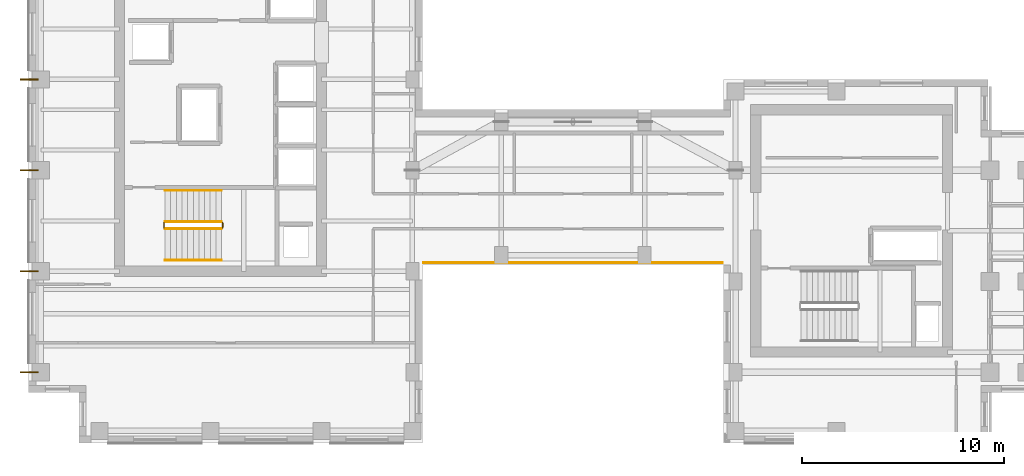
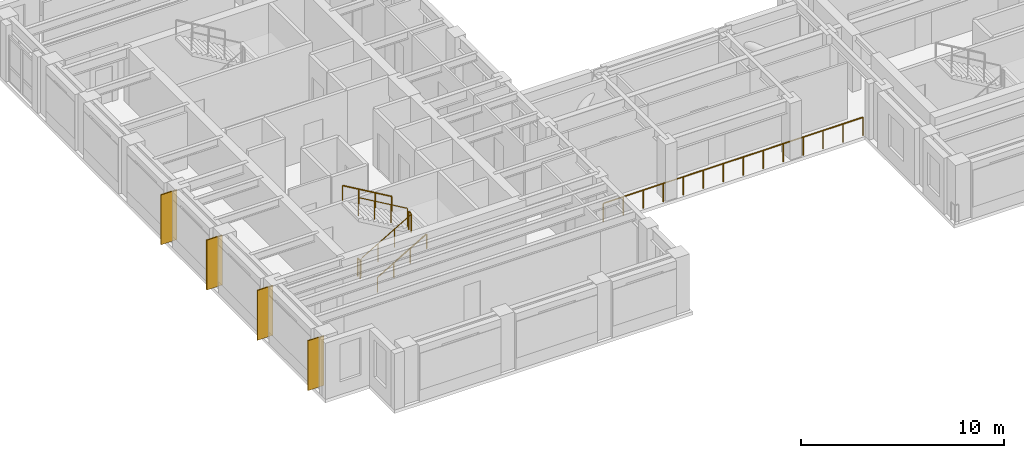
# One storey, part 11 of 13: 7 railings, 4 coverings.
"""IFC4 building model written with IfcOpenShell, lengths in metres."""

import ifcopenshell
import ifcopenshell.guid

model = None  # the IFC model being written
_history = None  # IfcOwnerHistory: only IFC2X3 demands one
_inside = {}  # id of a spatial element -> (the spatial element, [elements in it])
_under = {}  # id of a project, library or spatial element -> (it, [spatial elements below it])
_declared = {}  # id of a project -> (the project, [libraries it declares])
_typed = {}  # id of a type object -> (the type object, [elements of that type])
_made_of = {}  # id of a material, layer set ... -> (it, [elements and type objects made of it])


def new_model(schema):
    """Start an empty IFC model of exactly this schema.

    Asked for "IFC4X3", IfcOpenShell would pick the latest addendum, in which some entities
    have other attributes; the version numbers below select the first issue.
    IFC2X3 requires an IfcOwnerHistory on every rooted entity: one is made here for all.
    """
    global model, _history
    if schema == "IFC4X3":
        model = ifcopenshell.file(schema_version=(4, 3, 0, 0))
    else:
        model = ifcopenshell.file(schema=schema)
    _inside.clear()
    _under.clear()
    _declared.clear()
    _typed.clear()
    _made_of.clear()
    _history = None
    if model.schema == "IFC2X3":
        org = make("IfcOrganization", Name="unknown")
        user = make(
            "IfcPersonAndOrganization",
            ThePerson=make("IfcPerson", FamilyName="unknown"),
            TheOrganization=org,
        )
        app = make(
            "IfcApplication",
            ApplicationDeveloper=org,
            Version="unknown",
            ApplicationFullName="unknown",
            ApplicationIdentifier="unknown",
        )
        _history = make(
            "IfcOwnerHistory",
            OwningUser=user,
            OwningApplication=app,
            ChangeAction="ADDED",
            CreationDate=0,
        )
    return model


def make(cls, **values):
    """One entity of the class cls with the attributes given. An attribute that is None is left unset."""
    return model.create_entity(
        cls, **{name: value for name, value in values.items() if value is not None}
    )


def rooted(cls, **values):
    """An entity with a GlobalId (a new one), such as an element, a storey or a relation."""
    return make(cls, GlobalId=ifcopenshell.guid.new(), OwnerHistory=_history, **values)


def si_unit(unit_type, name, prefix=None):
    """IfcSIUnit, for example si_unit("LENGTHUNIT", "METRE", prefix="MILLI")."""
    return make("IfcSIUnit", UnitType=unit_type, Prefix=prefix, Name=name)


def assignment(units):
    """IfcUnitAssignment: the units of a project."""
    return None if units is None else make("IfcUnitAssignment", Units=units)


def point(xyz):
    """IfcCartesianPoint."""
    return None if xyz is None else make("IfcCartesianPoint", Coordinates=xyz)


def direction(xyz):
    """IfcDirection."""
    return None if xyz is None else make("IfcDirection", DirectionRatios=xyz)


def frame(location, z_axis=None, x_axis=None):
    """IfcAxis2Placement3D, a coordinate frame: its origin and axes. An axis left out is left unset."""
    return make(
        "IfcAxis2Placement3D",
        Location=point(location),
        Axis=direction(z_axis),
        RefDirection=direction(x_axis),
    )


def frame_2d(location, x_axis=None):
    """IfcAxis2Placement2D, a coordinate frame in the plane: its origin and x axis."""
    return make(
        "IfcAxis2Placement2D", Location=point(location), RefDirection=direction(x_axis)
    )


def origin():
    """The frame at (0, 0, 0) with its axes left unset."""
    return frame((0.0, 0.0, 0.0))


def origin_2d():
    """The frame at (0, 0) in the plane with its x axis left unset."""
    return frame_2d((0.0, 0.0))


def place(relative_to, where):
    """IfcLocalPlacement: puts the frame where relative to a parent placement (None: the world)."""
    return make(
        "IfcLocalPlacement", PlacementRelTo=relative_to, RelativePlacement=where
    )


def context(
    kind, dimensions, precision=None, world=None, true_north=None, identifier=None
):
    """IfcGeometricRepresentationContext, for example the 3D "Model" context."""
    return make(
        "IfcGeometricRepresentationContext",
        ContextIdentifier=identifier,
        ContextType=kind,
        CoordinateSpaceDimension=dimensions,
        Precision=precision,
        WorldCoordinateSystem=world,
        TrueNorth=true_north,
    )


def subcontext(parent, identifier, kind, view, scale=None):
    """IfcGeometricRepresentationSubContext, for example "Body" below "Model"."""
    return make(
        "IfcGeometricRepresentationSubContext",
        ContextIdentifier=identifier,
        ContextType=kind,
        ParentContext=parent,
        TargetScale=scale,
        TargetView=view,
    )


def project(units=None, contexts=None):
    """IfcProject with its units and contexts."""
    return rooted(
        "IfcProject",
        Name="project",
        RepresentationContexts=contexts,
        UnitsInContext=assignment(units),
    )


def spatial(cls, under=None, at=None, **own):
    """A site, building, storey or space (cls), placed at a placement, below another one or the project."""
    s = rooted(cls, ObjectPlacement=at, **own)
    if under is not None:
        _under.setdefault(under.id(), (under, []))[1].append(s)
    return s


def profile(cls, at=None, kind="AREA", **sizes):
    """A parametric profile (cls). Its sizes go by their IFC names, for example OverallWidth=200.0."""
    return make(cls, ProfileType=kind, Position=at, **sizes)


def rectangle(**sizes):
    """IfcRectangleProfileDef."""
    return profile("IfcRectangleProfileDef", **sizes)


def circle(**sizes):
    """IfcCircleProfileDef."""
    return profile("IfcCircleProfileDef", **sizes)


def extrude(swept, where, along, depth):
    """IfcExtrudedAreaSolid: the profile swept, set in the frame where, extruded along a direction by depth."""
    return make(
        "IfcExtrudedAreaSolid",
        SweptArea=swept,
        Position=where,
        ExtrudedDirection=direction(along),
        Depth=depth,
    )


def shape(context_of_items, identifier, shape_type, items):
    """IfcShapeRepresentation: the items that make up one representation, for example the "Body"."""
    return make(
        "IfcShapeRepresentation",
        ContextOfItems=context_of_items,
        RepresentationIdentifier=identifier,
        RepresentationType=shape_type,
        Items=items,
    )


def source(mapping_origin, context_of_items, identifier, shape_type, items):
    """IfcRepresentationMap: a shape defined once, which mapped items show again and again."""
    return make(
        "IfcRepresentationMap",
        MappingOrigin=mapping_origin,
        MappedRepresentation=shape(context_of_items, identifier, shape_type, items),
    )


def transform(
    local_origin,
    x_axis=None,
    y_axis=None,
    z_axis=None,
    scale=None,
    scale2=None,
    scale3=None,
    uniform=True,
):
    """IfcCartesianTransformationOperator3D, or its non-uniform kind. x_axis, y_axis, z_axis: its Axis1, 2, 3."""
    if uniform:
        return make(
            "IfcCartesianTransformationOperator3D",
            Axis1=direction(x_axis),
            Axis2=direction(y_axis),
            LocalOrigin=point(local_origin),
            Scale=scale,
            Axis3=direction(z_axis),
        )
    return make(
        "IfcCartesianTransformationOperator3DnonUniform",
        Axis1=direction(x_axis),
        Axis2=direction(y_axis),
        LocalOrigin=point(local_origin),
        Scale=scale,
        Axis3=direction(z_axis),
        Scale2=scale2,
        Scale3=scale3,
    )


def mapped(mapping_source, mapping_target):
    """IfcMappedItem: shows the shape of a source again, moved by a transform."""
    return make(
        "IfcMappedItem", MappingSource=mapping_source, MappingTarget=mapping_target
    )


def material(Name=None, Category=None):
    """IfcMaterial."""
    return make("IfcMaterial", Name=Name, Category=Category)


def layer(
    of_material, thickness, ventilated=None, Name=None, Category=None, Priority=None
):
    """IfcMaterialLayer: one layer of a wall or slab, of a material (None: an air gap)."""
    return make(
        "IfcMaterialLayer",
        Material=of_material,
        LayerThickness=thickness,
        IsVentilated=ventilated,
        Name=Name,
        Category=Category,
        Priority=Priority,
    )


def layer_set(layers, Name=None):
    """IfcMaterialLayerSet."""
    return make("IfcMaterialLayerSet", MaterialLayers=layers, LayerSetName=Name)


def made_of(thing, what):
    """Note that an element or type object is made of a material, layer set ...; save() writes the relation."""
    if what is not None:
        _made_of.setdefault(what.id(), (what, []))[1].append(thing)
    return thing


def type_object(cls, material=None, **own):
    """A type object (cls), such as IfcWallType, which elements share."""
    return made_of(rooted(cls, **own), material)


def element(
    cls,
    number,
    at=None,
    inside=None,
    cuts=None,
    type_object=None,
    material=None,
    context=None,
    identifier="Body",
    shape_type=None,
    held_by="IfcProductDefinitionShape",
    body=None,
    shapes=None,
    **own,
):
    """One element of the class cls, such as IfcWall. Its Tag is "e" and its number.

    at: its placement. inside: the storey or other place that contains it. cuts: it is an
    opening in that element (IfcRelVoidsElement). A single representation is given by context,
    identifier, shape_type and body (its items); several are given by shapes. held_by: the class
    of the entity that holds the representations. save() writes the other relations.
    """
    e = rooted(cls, Tag="e%d" % number, ObjectPlacement=at, **own)
    if body is not None:
        shapes = [shape(context, identifier, shape_type, body)]
    if shapes is not None:
        e.Representation = make(held_by, Representations=shapes)
    if inside is not None:
        _inside.setdefault(inside.id(), (inside, []))[1].append(e)
    if cuts is not None:
        rooted(
            "IfcRelVoidsElement", RelatingBuildingElement=cuts, RelatedOpeningElement=e
        )
    if type_object is not None:
        _typed.setdefault(type_object.id(), (type_object, []))[1].append(e)
    return made_of(e, material)


def aggregate(whole, parts):
    """IfcRelAggregates: a whole, such as a stair, and the parts it consists of."""
    return rooted("IfcRelAggregates", RelatingObject=whole, RelatedObjects=parts)


def save(model, path):
    """Write the relations noted so far, then the file.

    IfcRelAggregates (storeys below a building ...), IfcRelContainedInSpatialStructure (elements
    in a storey), IfcRelDefinesByType, IfcRelAssociatesMaterial and IfcRelDeclares: one each for
    every whole, place, type object, material and project.
    """
    for whole, parts in _under.values():
        aggregate(whole, parts)
    for where, things in _inside.values():
        rooted(
            "IfcRelContainedInSpatialStructure",
            RelatedElements=things,
            RelatingStructure=where,
        )
    for kind, things in _typed.values():
        rooted("IfcRelDefinesByType", RelatedObjects=things, RelatingType=kind)
    for what, things in _made_of.values():
        rooted("IfcRelAssociatesMaterial", RelatedObjects=things, RelatingMaterial=what)
    for by, libraries in _declared.values():
        rooted("IfcRelDeclares", RelatingContext=by, RelatedDefinitions=libraries)
    model.write(path)


model = new_model("IFC4")

# Units and contexts
model_context = context("Model", 3, precision=1e-05, world=origin(), true_north=direction((0.0, 1.0)))
body_context = subcontext(model_context, "Body", "Model", "MODEL_VIEW")
ifc_project = project(units=[si_unit("LENGTHUNIT", "METRE"), si_unit("AREAUNIT", "SQUARE_METRE"), si_unit("VOLUMEUNIT", "CUBIC_METRE"), si_unit("PLANEANGLEUNIT", "RADIAN"), si_unit("MASSUNIT", "GRAM", prefix="KILO")], contexts=[model_context])

# Site, building, storey
site_placement = place(None, origin())
site = spatial("IfcSite", under=ifc_project, at=site_placement, CompositionType="ELEMENT")
building_placement = place(site_placement, origin())
building = spatial("IfcBuilding", under=site, at=building_placement, Name="Kharzan Plaza Tower", CompositionType="ELEMENT")
storey_placement = place(building_placement, frame((0.0, 0.0, 244.800048828125)))
storey = spatial("IfcBuildingStorey", under=building, at=storey_placement, Name="L66", CompositionType="ELEMENT", Elevation=244.800048828125)

# Railings
ifc_material_1 = material(Name="Painted Galvanized Architectural Steel", Category="steel")
ifc_layer_1 = layer(ifc_material_1, 0.074951171875)
ifc_layer_set_1 = layer_set([ifc_layer_1], Name="Painted Galvanized Architectural Steel")
railing_type_1 = type_object("IfcRailingType", Name="RL-GUARD-1120", PredefinedType="BALUSTRADE", material=ifc_layer_set_1)
shared_shape_1 = source(origin(), body_context, "Body", "SweptSolid", [
    extrude(circle(Radius=0.02392578125, at=origin_2d()), frame((0.0, 0.0263671875, 1.09619140625), z_axis=(0.0, 1.0, 0.0), x_axis=(-1.0, 0.0, 0.0)), (0.0, 0.0, 1.0), 0.197021484375),
    extrude(circle(Radius=0.02099609375, at=origin_2d()), origin(), (0.0, 0.0, 1.0), 1.072021484375),
    extrude(circle(Radius=0.02099609375, at=origin_2d()), frame((0.0, 0.25, 0.0)), (0.0, 0.0, 1.0), 1.072021484375),
])
for number, where, name in (
    (1, (9.60009765625, 10.64990234375, 1.800048828125), "L66 ST-1 stair guard 2"),
    (2, (6.699951171875, 10.64990234375, 0.0), "L66 ST-1 stair guard 4"),
):
    element("IfcRailing", number, at=place(storey_placement, frame(where)), inside=storey, type_object=railing_type_1, Name=name, PredefinedType="BALUSTRADE", context=body_context, shape_type="MappedRepresentation", body=[
        mapped(shared_shape_1, transform((0.0, 0.0, 0.0), x_axis=(1.0, 0.0, 0.0), y_axis=(0.0, 1.0, 0.0), z_axis=(0.0, 0.0, 1.0))),
    ])

# Coverings
ifc_material_2 = material(Name="Honed Riyadh Limestone", Category="masonry")
ifc_layer_2 = layer(ifc_material_2, 0.06005859375)
ifc_layer_set_2 = layer_set([ifc_layer_2], Name="Honed Riyadh Limestone")
covering_type = type_object("IfcCoveringType", Name="COV-CLAD-STONE", PredefinedType="CLADDING", material=ifc_layer_set_2)
shared_shape_2 = source(origin(), body_context, "Body", "SweptSolid", [
    extrude(rectangle(XDim=0.06005859375, YDim=0.89990234375, at=origin_2d()), origin(), (0.0, 0.0, 1.0), 3.0),
])
for number, where, z_axis, x_axis, name in (
    (3, (0.02001953125, 13.5, 0.099853515625), (0.0, 0.0, 1.0), (0.0, 1.0, 0.0), "L66 Limestone Pier Rainscreen Cladding TCW-135"),
    (4, (0.02001953125, 18.0, 0.099853515625), (0.0, 0.0, 1.0), (0.0, 1.0, 0.0), "L66 Limestone Pier Rainscreen Cladding TCW-180"),
    (5, (0.02001953125, 3.5, 0.099853515625), (0.0, 0.0, 1.0), (0.0, 1.0, 0.0), "L66 Limestone Pier Rainscreen Cladding TCW-35"),
    (6, (0.02001953125, 8.5, 0.099853515625), (0.0, 0.0, 1.0), (0.0, 1.0, 0.0), "L66 Limestone Pier Rainscreen Cladding TCW-85"),
):
    element("IfcCovering", number, at=place(storey_placement, frame(where, z_axis=z_axis, x_axis=x_axis)), inside=storey, type_object=covering_type, Name=name, PredefinedType="CLADDING", context=body_context, shape_type="MappedRepresentation", body=[
        mapped(shared_shape_2, transform((0.0, 0.0, 0.0), x_axis=(1.0, 0.0, 0.0), y_axis=(0.0, 1.0, 0.0), z_axis=(0.0, 0.0, 1.0))),
    ])

# Railings
shared_shape_3 = source(origin(), body_context, "Body", "SweptSolid", [
    extrude(circle(Radius=0.02392578125, at=origin_2d()), frame((0.02294921875, 0.0, 1.109375), z_axis=(0.863360870873, 0.0, 0.504586966384), x_axis=(0.0, 1.0, 0.0)), (0.0, 0.0, 1.0), 3.190185546875),
    extrude(circle(Radius=0.02099609375, at=origin_2d()), origin(), (0.0, 0.0, 1.0), 1.072021484375),
    extrude(circle(Radius=0.02099609375, at=origin_2d()), frame((0.933349609375, 0.0, 0.54541015625)), (0.0, 0.0, 1.0), 1.072021484375),
    extrude(circle(Radius=0.02099609375, at=origin_2d()), frame((1.86669921875, 0.0, 1.091064453125)), (0.0, 0.0, 1.0), 1.072021484375),
    extrude(circle(Radius=0.02099609375, at=origin_2d()), frame((2.800048828125, 0.0, 1.636474609375)), (0.0, 0.0, 1.0), 1.072021484375),
])
railing_1_placement = place(storey_placement, frame((6.75, 10.60009765625, 0.16357421875)))
element("IfcRailing", 7, at=railing_1_placement, inside=storey, type_object=railing_type_1, Name="L66 ST-1 stair guard 1", PredefinedType="BALUSTRADE", context=body_context, shape_type="MappedRepresentation", body=[
    mapped(shared_shape_3, transform((0.0, 0.0, 0.0), x_axis=(1.0, 0.0, 0.0), y_axis=(0.0, 1.0, 0.0), z_axis=(0.0, 0.0, 1.0))),
])
ifc_material_3 = material(Name="Brushed Stainless Steel", Category="steel")
ifc_layer_3 = layer(ifc_material_3, 0.050048828125)
ifc_layer_set_3 = layer_set([ifc_layer_3], Name="Brushed Stainless Steel")
railing_type_2 = type_object("IfcRailingType", Name="RL-STAIR-HR920", PredefinedType="HANDRAIL", material=ifc_layer_set_3)
shared_shape_4 = source(origin(), body_context, "Body", "SweptSolid", [
    extrude(circle(Radius=0.02392578125, at=origin_2d()), frame((0.02294921875, 0.0, 0.88916015625), z_axis=(0.863360870873, 0.0, 0.504586966384), x_axis=(0.0, 1.0, 0.0)), (0.0, 0.0, 1.0), 3.190185546875),
    extrude(circle(Radius=0.02099609375, at=origin_2d()), origin(), (0.0, 0.0, 1.0), 0.851806640625),
    extrude(circle(Radius=0.02099609375, at=origin_2d()), frame((0.933349609375, 0.0, 0.54541015625)), (0.0, 0.0, 1.0), 0.851806640625),
    extrude(circle(Radius=0.02099609375, at=origin_2d()), frame((1.86669921875, 0.0, 1.091064453125)), (0.0, 0.0, 1.0), 0.851806640625),
    extrude(circle(Radius=0.02099609375, at=origin_2d()), frame((2.800048828125, 0.0, 1.636474609375)), (0.0, 0.0, 1.0), 0.851806640625),
])
railing_2_placement = place(storey_placement, frame((6.75, 9.050048828125, 0.16357421875)))
element("IfcRailing", 8, at=railing_2_placement, inside=storey, type_object=railing_type_2, Name="L66 ST-1 stair handrail 1", PredefinedType="HANDRAIL", context=body_context, shape_type="MappedRepresentation", body=[
    mapped(shared_shape_4, transform((0.0, 0.0, 0.0), x_axis=(1.0, 0.0, 0.0), y_axis=(0.0, 1.0, 0.0), z_axis=(0.0, 0.0, 1.0))),
])
shared_shape_5 = source(origin(), body_context, "Body", "SweptSolid", [
    extrude(circle(Radius=0.02392578125, at=origin_2d()), frame((-0.02294921875, 0.0, 1.109375), z_axis=(-0.863393664356, 0.0, 0.504530851732), x_axis=(0.0, -1.0, 0.0)), (0.0, 0.0, 1.0), 3.190185546875),
    extrude(circle(Radius=0.02099609375, at=origin_2d()), origin(), (0.0, 0.0, 1.0), 1.072021484375),
    extrude(circle(Radius=0.02099609375, at=origin_2d()), frame((-0.933349609375, 0.0, 0.54541015625)), (0.0, 0.0, 1.0), 1.072021484375),
    extrude(circle(Radius=0.02099609375, at=origin_2d()), frame((-1.86669921875, 0.0, 1.0908203125)), (0.0, 0.0, 1.0), 1.072021484375),
    extrude(circle(Radius=0.02099609375, at=origin_2d()), frame((-2.800048828125, 0.0, 1.63623046875)), (0.0, 0.0, 1.0), 1.072021484375),
])
railing_3_placement = place(storey_placement, frame((9.550048828125, 10.949951171875, 1.963623046875)))
element("IfcRailing", 9, at=railing_3_placement, inside=storey, type_object=railing_type_1, Name="L66 ST-1 stair guard 3", PredefinedType="BALUSTRADE", context=body_context, shape_type="MappedRepresentation", body=[
    mapped(shared_shape_5, transform((0.0, 0.0, 0.0), x_axis=(1.0, 0.0, 0.0), y_axis=(0.0, 1.0, 0.0), z_axis=(0.0, 0.0, 1.0))),
])
shared_shape_6 = source(origin(), body_context, "Body", "SweptSolid", [
    extrude(circle(Radius=0.02392578125, at=origin_2d()), frame((-0.02294921875, 0.0, 0.88916015625), z_axis=(-0.863393664356, 0.0, 0.504530851732), x_axis=(0.0, -1.0, 0.0)), (0.0, 0.0, 1.0), 3.190185546875),
    extrude(circle(Radius=0.02099609375, at=origin_2d()), origin(), (0.0, 0.0, 1.0), 0.851806640625),
    extrude(circle(Radius=0.02099609375, at=origin_2d()), frame((-0.933349609375, 0.0, 0.54541015625)), (0.0, 0.0, 1.0), 0.851806640625),
    extrude(circle(Radius=0.02099609375, at=origin_2d()), frame((-1.86669921875, 0.0, 1.0908203125)), (0.0, 0.0, 1.0), 0.851806640625),
    extrude(circle(Radius=0.02099609375, at=origin_2d()), frame((-2.800048828125, 0.0, 1.63623046875)), (0.0, 0.0, 1.0), 0.851806640625),
])
railing_4_placement = place(storey_placement, frame((9.550048828125, 12.5, 1.963623046875)))
element("IfcRailing", 10, at=railing_4_placement, inside=storey, type_object=railing_type_2, Name="L66 ST-1 stair handrail 2", PredefinedType="HANDRAIL", context=body_context, shape_type="MappedRepresentation", body=[
    mapped(shared_shape_6, transform((0.0, 0.0, 0.0), x_axis=(1.0, 0.0, 0.0), y_axis=(0.0, 1.0, 0.0), z_axis=(0.0, 0.0, 1.0))),
])
shared_shape_7 = source(origin(), body_context, "Body", "SweptSolid", [
    extrude(circle(Radius=0.02392578125, at=origin_2d()), frame((0.0263671875, 0.0, 1.09619140625), z_axis=(1.0, 0.0, 0.0), x_axis=(0.0, 1.0, 0.0)), (0.0, 0.0, 1.0), 14.7470703125),
    extrude(circle(Radius=0.02099609375, at=origin_2d()), origin(), (0.0, 0.0, 1.0), 1.072021484375),
    extrude(circle(Radius=0.02099609375, at=origin_2d()), frame((1.138427734375, 0.0, 0.0)), (0.0, 0.0, 1.0), 1.072021484375),
    extrude(circle(Radius=0.02099609375, at=origin_2d()), frame((2.27685546875, 0.0, 0.0)), (0.0, 0.0, 1.0), 1.072021484375),
    extrude(circle(Radius=0.02099609375, at=origin_2d()), frame((3.415283203125, 0.0, 0.0)), (0.0, 0.0, 1.0), 1.072021484375),
    extrude(circle(Radius=0.02099609375, at=origin_2d()), frame((4.553955078125, 0.0, 0.0)), (0.0, 0.0, 1.0), 1.072021484375),
    extrude(circle(Radius=0.02099609375, at=origin_2d()), frame((5.6923828125, 0.0, 0.0)), (0.0, 0.0, 1.0), 1.072021484375),
    extrude(circle(Radius=0.02099609375, at=origin_2d()), frame((6.830810546875, 0.0, 0.0)), (0.0, 0.0, 1.0), 1.072021484375),
    extrude(circle(Radius=0.02099609375, at=origin_2d()), frame((7.96923828125, 0.0, 0.0)), (0.0, 0.0, 1.0), 1.072021484375),
    extrude(circle(Radius=0.02099609375, at=origin_2d()), frame((9.107666015625, 0.0, 0.0)), (0.0, 0.0, 1.0), 1.072021484375),
    extrude(circle(Radius=0.02099609375, at=origin_2d()), frame((10.24609375, 0.0, 0.0)), (0.0, 0.0, 1.0), 1.072021484375),
    extrude(circle(Radius=0.02099609375, at=origin_2d()), frame((11.384765625, 0.0, 0.0)), (0.0, 0.0, 1.0), 1.072021484375),
    extrude(circle(Radius=0.02099609375, at=origin_2d()), frame((12.523193359375, 0.0, 0.0)), (0.0, 0.0, 1.0), 1.072021484375),
    extrude(circle(Radius=0.02099609375, at=origin_2d()), frame((13.66162109375, 0.0, 0.0)), (0.0, 0.0, 1.0), 1.072021484375),
    extrude(circle(Radius=0.02099609375, at=origin_2d()), frame((14.800048828125, 0.0, 0.0)), (0.0, 0.0, 1.0), 1.072021484375),
])
railing_5_placement = place(storey_placement, frame((19.550048828125, 8.919921875, 0.0)))
element("IfcRailing", 11, at=railing_5_placement, inside=storey, type_object=railing_type_1, Name="L66 Wind-Turbine Slot Portal Safety Guard", PredefinedType="BALUSTRADE", context=body_context, shape_type="MappedRepresentation", body=[
    mapped(shared_shape_7, transform((0.0, 0.0, 0.0), x_axis=(1.0, 0.0, 0.0), y_axis=(0.0, 1.0, 0.0), z_axis=(0.0, 0.0, 1.0))),
])

save(model, "model.ifc")
